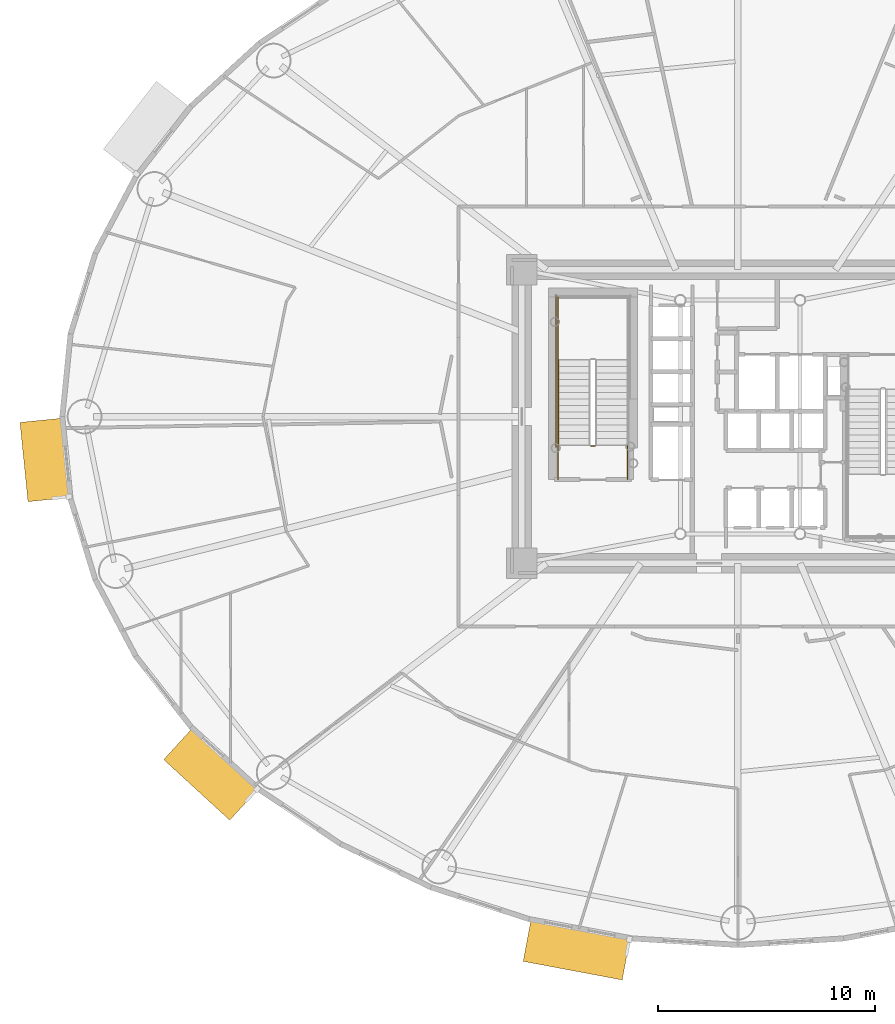
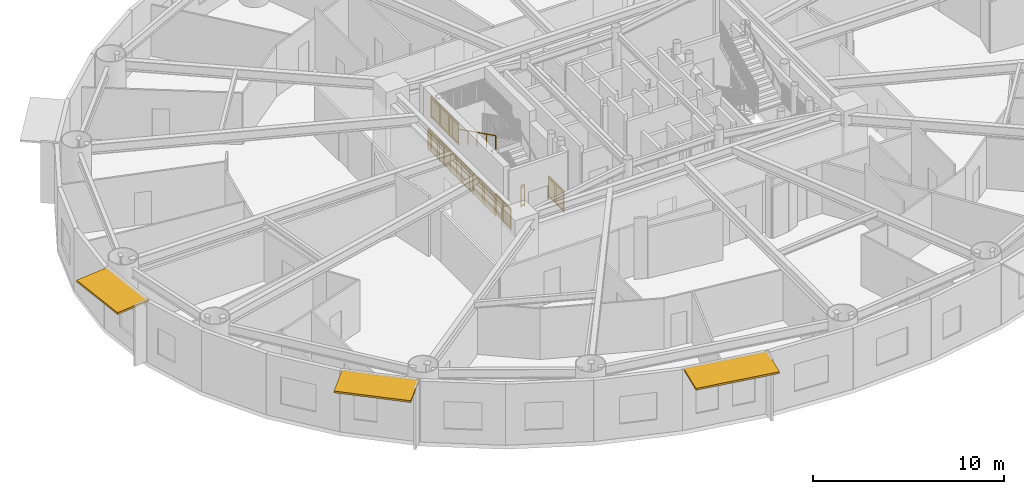
# One storey, part 15 of 21: 6 railings, 3 shading devices.
"""IFC4 building model written with IfcOpenShell, lengths in metres."""

from ifc_helpers import new_model, si_unit, direction, frame, origin, origin_2d, place, context, subcontext, project, spatial, rectangle, extrude, source, transform, mapped, material, layer, layer_set, type_object, element, save


model = new_model("IFC4")

# Units and contexts
model_context = context("Model", 3, precision=1e-05, world=origin(), true_north=direction((0.0, 1.0)))
body_context = subcontext(model_context, "Body", "Model", "MODEL_VIEW")
ifc_project = project(units=[si_unit("LENGTHUNIT", "METRE"), si_unit("AREAUNIT", "SQUARE_METRE"), si_unit("VOLUMEUNIT", "CUBIC_METRE"), si_unit("PLANEANGLEUNIT", "RADIAN"), si_unit("MASSUNIT", "GRAM", prefix="KILO")], contexts=[model_context])

# Site, building, storey
site_placement = place(None, origin())
site = spatial("IfcSite", under=ifc_project, at=site_placement, CompositionType="ELEMENT")
building_placement = place(site_placement, origin())
building = spatial("IfcBuilding", under=site, at=building_placement, Name="Linh Dai School and Residence Tower", CompositionType="ELEMENT")
storey_placement = place(building_placement, frame((0.0, 0.0, 82.800048828125)))
storey = spatial("IfcBuildingStorey", under=building, at=storey_placement, Name="L19", CompositionType="ELEMENT", Elevation=82.800048828125)

# Shading devices
ifc_material_1 = material(Name="Terracotta Ceramic Sunshade", Category="masonry")
ifc_layer = layer(ifc_material_1, 0.1201171875)
ifc_layer_set = layer_set([ifc_layer], Name="Terracotta Ceramic Sunshade")
shading_device_type = type_object("IfcShadingDeviceType", Name="SHD-TC-2000", PredefinedType="USERDEFINED", material=ifc_layer_set)
shared_shape_1 = source(origin(), body_context, "Body", "SweptSolid", [
    extrude(rectangle(XDim=3.663330078125, YDim=2.0, at=origin_2d()), origin(), (0.0, 0.0, 1.0), 0.1201171875),
])
shading_device_1_placement = place(storey_placement, frame((4.16064453125, 25.005615234375, 3.760009765625), z_axis=(0.0, 0.0, 1.0), x_axis=(-0.100009387998, 0.994986493533, 0.0)))
element("IfcShadingDevice", 1, at=shading_device_1_placement, inside=storey, type_object=shading_device_type, Name="L19 Terracotta Horizontal Sunshade Band 21", ObjectType="SUNSHADE", PredefinedType="USERDEFINED", context=body_context, shape_type="MappedRepresentation", body=[
    mapped(shared_shape_1, transform((0.0, 0.0, 0.0), x_axis=(1.0, 0.0, 0.0), y_axis=(0.0, 1.0, 0.0), z_axis=(0.0, 0.0, 1.0), scale=1.0)),
])
shared_shape_2 = source(origin(), body_context, "Body", "SweptSolid", [
    extrude(rectangle(XDim=4.1220703125, YDim=2.0, at=origin_2d()), origin(), (0.0, 0.0, 1.0), 0.1201171875),
])
shading_device_2_placement = place(storey_placement, frame((11.7841796875, 10.56689453125, 3.760009765625), z_axis=(0.0, 0.0, 1.0), x_axis=(-0.737113246362, 0.675769237268, 0.0)))
element("IfcShadingDevice", 2, at=shading_device_2_placement, inside=storey, type_object=shading_device_type, Name="L19 Terracotta Horizontal Sunshade Band 25", ObjectType="SUNSHADE", PredefinedType="USERDEFINED", context=body_context, shape_type="MappedRepresentation", body=[
    mapped(shared_shape_2, transform((0.0, 0.0, 0.0), x_axis=(1.0, 0.0, 0.0), y_axis=(0.0, 1.0, 0.0), z_axis=(0.0, 0.0, 1.0), scale=1.0)),
])
shared_shape_3 = source(origin(), body_context, "Body", "SweptSolid", [
    extrude(rectangle(XDim=4.635009765625, YDim=2.0, at=origin_2d()), origin(), (0.0, 0.0, 1.0), 0.1201171875),
])
shading_device_3_placement = place(storey_placement, frame((28.584716796875, 2.497314453125, 3.760009765625), z_axis=(0.0, 0.0, 1.0), x_axis=(-0.982785935675, 0.184747948944, 0.0)))
element("IfcShadingDevice", 3, at=shading_device_3_placement, inside=storey, type_object=shading_device_type, Name="L19 Terracotta Horizontal Sunshade Band 29", ObjectType="SUNSHADE", PredefinedType="USERDEFINED", context=body_context, shape_type="MappedRepresentation", body=[
    mapped(shared_shape_3, transform((0.0, 0.0, 0.0), x_axis=(1.0, 0.0, 0.0), y_axis=(0.0, 1.0, 0.0), z_axis=(0.0, 0.0, 1.0), scale=1.0)),
])

# Railings
ifc_material_2 = material(Name="Structural Steel S355JR", Category="steel")
railing_type_1 = type_object("IfcRailingType", Name="RL-ST-GUARD-1400", PredefinedType="GUARDRAIL", material=ifc_material_2)
shared_shape_4 = source(origin(), body_context, "Body", "SweptSolid", [
    extrude(rectangle(XDim=0.048095703125, YDim=0.048095703125, at=origin_2d()), frame((0.0, 0.0, 1.3759765625), z_axis=(-1.0, 0.0, 0.0), x_axis=(0.0, -1.0, 0.0)), (0.0, 0.0, 1.0), 0.199951171875),
    extrude(rectangle(XDim=0.048095703125, YDim=0.048095703125, at=origin_2d()), frame((0.0, 0.0, 0.10009765625), z_axis=(-1.0, 0.0, 0.0), x_axis=(0.0, -1.0, 0.0)), (0.0, 0.0, 1.0), 0.199951171875),
    extrude(rectangle(XDim=0.030029296875, YDim=0.030029296875, at=origin_2d()), frame((0.0, 0.0, 1.239990234375), z_axis=(-1.0, 0.0, 0.0), x_axis=(0.0, -1.0, 0.0)), (0.0, 0.0, 1.0), 0.199951171875),
    extrude(rectangle(XDim=0.0419921875, YDim=0.0419921875, at=origin_2d()), origin(), (0.0, 0.0, 1.0), 1.3759765625),
    extrude(rectangle(XDim=0.0419921875, YDim=0.0419921875, at=origin_2d()), frame((-0.199951171875, 0.0, 0.0)), (0.0, 0.0, 1.0), 1.3759765625),
])
railing_1_placement = place(storey_placement, frame((29.429931640625, 25.64990234375, 0.0)))
element("IfcRailing", 4, at=railing_1_placement, inside=storey, type_object=railing_type_1, Name="L19 ST1 stair guard 7", PredefinedType="GUARDRAIL", context=body_context, shape_type="MappedRepresentation", body=[
    mapped(shared_shape_4, transform((0.0, 0.0, 0.0), x_axis=(1.0, 0.0, 0.0), y_axis=(0.0, 1.0, 0.0), z_axis=(0.0, 0.0, 1.0), scale=1.0)),
])
shared_shape_5 = source(origin(), body_context, "Body", "SweptSolid", [
    extrude(rectangle(XDim=0.048095703125, YDim=0.048095703125, at=origin_2d()), frame((0.0, 0.0, 1.3759765625), z_axis=(0.0, 1.0, 0.0), x_axis=(-1.0, 0.0, 0.0)), (0.0, 0.0, 1.0), 1.599853515625),
    extrude(rectangle(XDim=0.048095703125, YDim=0.048095703125, at=origin_2d()), frame((0.0, 0.0, 0.10009765625), z_axis=(0.0, 1.0, 0.0), x_axis=(-1.0, 0.0, 0.0)), (0.0, 0.0, 1.0), 1.599853515625),
    extrude(rectangle(XDim=0.030029296875, YDim=0.030029296875, at=origin_2d()), frame((0.0, 0.0, 1.239990234375), z_axis=(0.0, 1.0, 0.0), x_axis=(-1.0, 0.0, 0.0)), (0.0, 0.0, 1.0), 1.599853515625),
    extrude(rectangle(XDim=0.02001953125, YDim=0.02001953125, at=origin_2d()), frame((0.0, 0.093994140625, 0.10009765625)), (0.0, 0.0, 1.0), 1.251708984375),
    extrude(rectangle(XDim=0.02001953125, YDim=0.02001953125, at=origin_2d()), frame((0.0, 0.188232421875, 0.10009765625)), (0.0, 0.0, 1.0), 1.251708984375),
    extrude(rectangle(XDim=0.02001953125, YDim=0.02001953125, at=origin_2d()), frame((0.0, 0.2822265625, 0.10009765625)), (0.0, 0.0, 1.0), 1.251708984375),
    extrude(rectangle(XDim=0.02001953125, YDim=0.02001953125, at=origin_2d()), frame((0.0, 0.37646484375, 0.10009765625)), (0.0, 0.0, 1.0), 1.251708984375),
    extrude(rectangle(XDim=0.02001953125, YDim=0.02001953125, at=origin_2d()), frame((0.0, 0.470458984375, 0.10009765625)), (0.0, 0.0, 1.0), 1.251708984375),
    extrude(rectangle(XDim=0.02001953125, YDim=0.02001953125, at=origin_2d()), frame((0.0, 0.564697265625, 0.10009765625)), (0.0, 0.0, 1.0), 1.251708984375),
    extrude(rectangle(XDim=0.02001953125, YDim=0.02001953125, at=origin_2d()), frame((0.0, 0.65869140625, 0.10009765625)), (0.0, 0.0, 1.0), 1.251708984375),
    extrude(rectangle(XDim=0.02001953125, YDim=0.02001953125, at=origin_2d()), frame((0.0, 0.7529296875, 0.10009765625)), (0.0, 0.0, 1.0), 1.251708984375),
    extrude(rectangle(XDim=0.02001953125, YDim=0.02001953125, at=origin_2d()), frame((0.0, 0.846923828125, 0.10009765625)), (0.0, 0.0, 1.0), 1.251708984375),
    extrude(rectangle(XDim=0.02001953125, YDim=0.02001953125, at=origin_2d()), frame((0.0, 0.941162109375, 0.10009765625)), (0.0, 0.0, 1.0), 1.251708984375),
    extrude(rectangle(XDim=0.02001953125, YDim=0.02001953125, at=origin_2d()), frame((0.0, 1.03515625, 0.10009765625)), (0.0, 0.0, 1.0), 1.251708984375),
    extrude(rectangle(XDim=0.02001953125, YDim=0.02001953125, at=origin_2d()), frame((0.0, 1.12939453125, 0.10009765625)), (0.0, 0.0, 1.0), 1.251708984375),
    extrude(rectangle(XDim=0.02001953125, YDim=0.02001953125, at=origin_2d()), frame((0.0, 1.223388671875, 0.10009765625)), (0.0, 0.0, 1.0), 1.251708984375),
    extrude(rectangle(XDim=0.02001953125, YDim=0.02001953125, at=origin_2d()), frame((0.0, 1.317626953125, 0.10009765625)), (0.0, 0.0, 1.0), 1.251708984375),
    extrude(rectangle(XDim=0.02001953125, YDim=0.02001953125, at=origin_2d()), frame((0.0, 1.41162109375, 0.10009765625)), (0.0, 0.0, 1.0), 1.251708984375),
    extrude(rectangle(XDim=0.02001953125, YDim=0.02001953125, at=origin_2d()), frame((0.0, 1.505859375, 0.10009765625)), (0.0, 0.0, 1.0), 1.251708984375),
    extrude(rectangle(XDim=0.0419921875, YDim=0.0419921875, at=origin_2d()), origin(), (0.0, 0.0, 1.0), 1.3759765625),
    extrude(rectangle(XDim=0.0419921875, YDim=0.0419921875, at=origin_2d()), frame((0.0, 0.7998046875, 0.0)), (0.0, 0.0, 1.0), 1.3759765625),
    extrude(rectangle(XDim=0.0419921875, YDim=0.0419921875, at=origin_2d()), frame((0.0, 1.599853515625, 0.0)), (0.0, 0.0, 1.0), 1.3759765625),
])
for number, where, name in (
    (5, (30.929931640625, 24.10009765625, 0.0), "L19 ST1 stair guard 8"),
    (6, (27.72998046875, 24.10009765625, 0.0), "L19 ST1 stair guard 9"),
):
    element("IfcRailing", number, at=place(storey_placement, frame(where)), inside=storey, type_object=railing_type_1, Name=name, PredefinedType="GUARDRAIL", context=body_context, shape_type="MappedRepresentation", body=[
        mapped(shared_shape_5, transform((0.0, 0.0, 0.0), x_axis=(1.0, 0.0, 0.0), y_axis=(0.0, 1.0, 0.0), z_axis=(0.0, 0.0, 1.0), scale=1.0)),
    ])
shared_shape_6 = source(origin(), body_context, "Body", "SweptSolid", [
    extrude(rectangle(XDim=0.048095703125, YDim=0.048095703125, at=origin_2d()), frame((0.0, 0.0, 1.3759765625), z_axis=(0.0, 1.0, 0.0), x_axis=(-1.0, 0.0, 0.0)), (0.0, 0.0, 1.0), 7.0),
    extrude(rectangle(XDim=0.048095703125, YDim=0.048095703125, at=origin_2d()), frame((0.0, 0.0, 0.10009765625), z_axis=(0.0, 1.0, 0.0), x_axis=(-1.0, 0.0, 0.0)), (0.0, 0.0, 1.0), 7.0),
    extrude(rectangle(XDim=0.030029296875, YDim=0.030029296875, at=origin_2d()), frame((0.0, 0.0, 1.239990234375), z_axis=(0.0, 1.0, 0.0), x_axis=(-1.0, 0.0, 0.0)), (0.0, 0.0, 1.0), 7.0),
    extrude(rectangle(XDim=0.02001953125, YDim=0.02001953125, at=origin_2d()), frame((0.0, 0.09716796875, 0.10009765625)), (0.0, 0.0, 1.0), 1.251708984375),
    extrude(rectangle(XDim=0.02001953125, YDim=0.02001953125, at=origin_2d()), frame((0.0, 0.1943359375, 0.10009765625)), (0.0, 0.0, 1.0), 1.251708984375),
    extrude(rectangle(XDim=0.02001953125, YDim=0.02001953125, at=origin_2d()), frame((0.0, 0.291748046875, 0.10009765625)), (0.0, 0.0, 1.0), 1.251708984375),
    extrude(rectangle(XDim=0.02001953125, YDim=0.02001953125, at=origin_2d()), frame((0.0, 0.388916015625, 0.10009765625)), (0.0, 0.0, 1.0), 1.251708984375),
    extrude(rectangle(XDim=0.02001953125, YDim=0.02001953125, at=origin_2d()), frame((0.0, 0.486083984375, 0.10009765625)), (0.0, 0.0, 1.0), 1.251708984375),
    extrude(rectangle(XDim=0.02001953125, YDim=0.02001953125, at=origin_2d()), frame((0.0, 0.583251953125, 0.10009765625)), (0.0, 0.0, 1.0), 1.251708984375),
    extrude(rectangle(XDim=0.02001953125, YDim=0.02001953125, at=origin_2d()), frame((0.0, 0.6806640625, 0.10009765625)), (0.0, 0.0, 1.0), 1.251708984375),
    extrude(rectangle(XDim=0.02001953125, YDim=0.02001953125, at=origin_2d()), frame((0.0, 0.77783203125, 0.10009765625)), (0.0, 0.0, 1.0), 1.251708984375),
    extrude(rectangle(XDim=0.02001953125, YDim=0.02001953125, at=origin_2d()), frame((0.0, 0.875, 0.10009765625)), (0.0, 0.0, 1.0), 1.251708984375),
    extrude(rectangle(XDim=0.02001953125, YDim=0.02001953125, at=origin_2d()), frame((0.0, 0.97216796875, 0.10009765625)), (0.0, 0.0, 1.0), 1.251708984375),
    extrude(rectangle(XDim=0.02001953125, YDim=0.02001953125, at=origin_2d()), frame((0.0, 1.0693359375, 0.10009765625)), (0.0, 0.0, 1.0), 1.251708984375),
    extrude(rectangle(XDim=0.02001953125, YDim=0.02001953125, at=origin_2d()), frame((0.0, 1.263916015625, 0.10009765625)), (0.0, 0.0, 1.0), 1.251708984375),
    extrude(rectangle(XDim=0.02001953125, YDim=0.02001953125, at=origin_2d()), frame((0.0, 1.361083984375, 0.10009765625)), (0.0, 0.0, 1.0), 1.251708984375),
    extrude(rectangle(XDim=0.02001953125, YDim=0.02001953125, at=origin_2d()), frame((0.0, 1.458251953125, 0.10009765625)), (0.0, 0.0, 1.0), 1.251708984375),
    extrude(rectangle(XDim=0.02001953125, YDim=0.02001953125, at=origin_2d()), frame((0.0, 1.5556640625, 0.10009765625)), (0.0, 0.0, 1.0), 1.251708984375),
    extrude(rectangle(XDim=0.02001953125, YDim=0.02001953125, at=origin_2d()), frame((0.0, 1.65283203125, 0.10009765625)), (0.0, 0.0, 1.0), 1.251708984375),
    extrude(rectangle(XDim=0.02001953125, YDim=0.02001953125, at=origin_2d()), frame((0.0, 1.75, 0.10009765625)), (0.0, 0.0, 1.0), 1.251708984375),
    extrude(rectangle(XDim=0.02001953125, YDim=0.02001953125, at=origin_2d()), frame((0.0, 1.84716796875, 0.10009765625)), (0.0, 0.0, 1.0), 1.251708984375),
    extrude(rectangle(XDim=0.02001953125, YDim=0.02001953125, at=origin_2d()), frame((0.0, 1.9443359375, 0.10009765625)), (0.0, 0.0, 1.0), 1.251708984375),
    extrude(rectangle(XDim=0.02001953125, YDim=0.02001953125, at=origin_2d()), frame((0.0, 2.041748046875, 0.10009765625)), (0.0, 0.0, 1.0), 1.251708984375),
    extrude(rectangle(XDim=0.02001953125, YDim=0.02001953125, at=origin_2d()), frame((0.0, 2.138916015625, 0.10009765625)), (0.0, 0.0, 1.0), 1.251708984375),
    extrude(rectangle(XDim=0.02001953125, YDim=0.02001953125, at=origin_2d()), frame((0.0, 2.236083984375, 0.10009765625)), (0.0, 0.0, 1.0), 1.251708984375),
    extrude(rectangle(XDim=0.02001953125, YDim=0.02001953125, at=origin_2d()), frame((0.0, 2.4306640625, 0.10009765625)), (0.0, 0.0, 1.0), 1.251708984375),
    extrude(rectangle(XDim=0.02001953125, YDim=0.02001953125, at=origin_2d()), frame((0.0, 2.52783203125, 0.10009765625)), (0.0, 0.0, 1.0), 1.251708984375),
    extrude(rectangle(XDim=0.02001953125, YDim=0.02001953125, at=origin_2d()), frame((0.0, 2.625, 0.10009765625)), (0.0, 0.0, 1.0), 1.251708984375),
    extrude(rectangle(XDim=0.02001953125, YDim=0.02001953125, at=origin_2d()), frame((0.0, 2.72216796875, 0.10009765625)), (0.0, 0.0, 1.0), 1.251708984375),
    extrude(rectangle(XDim=0.02001953125, YDim=0.02001953125, at=origin_2d()), frame((0.0, 2.8193359375, 0.10009765625)), (0.0, 0.0, 1.0), 1.251708984375),
    extrude(rectangle(XDim=0.02001953125, YDim=0.02001953125, at=origin_2d()), frame((0.0, 2.916748046875, 0.10009765625)), (0.0, 0.0, 1.0), 1.251708984375),
    extrude(rectangle(XDim=0.02001953125, YDim=0.02001953125, at=origin_2d()), frame((0.0, 3.013916015625, 0.10009765625)), (0.0, 0.0, 1.0), 1.251708984375),
    extrude(rectangle(XDim=0.02001953125, YDim=0.02001953125, at=origin_2d()), frame((0.0, 3.111083984375, 0.10009765625)), (0.0, 0.0, 1.0), 1.251708984375),
    extrude(rectangle(XDim=0.02001953125, YDim=0.02001953125, at=origin_2d()), frame((0.0, 3.208251953125, 0.10009765625)), (0.0, 0.0, 1.0), 1.251708984375),
    extrude(rectangle(XDim=0.02001953125, YDim=0.02001953125, at=origin_2d()), frame((0.0, 3.3056640625, 0.10009765625)), (0.0, 0.0, 1.0), 1.251708984375),
    extrude(rectangle(XDim=0.02001953125, YDim=0.02001953125, at=origin_2d()), frame((0.0, 3.40283203125, 0.10009765625)), (0.0, 0.0, 1.0), 1.251708984375),
    extrude(rectangle(XDim=0.02001953125, YDim=0.02001953125, at=origin_2d()), frame((0.0, 3.59716796875, 0.10009765625)), (0.0, 0.0, 1.0), 1.251708984375),
    extrude(rectangle(XDim=0.02001953125, YDim=0.02001953125, at=origin_2d()), frame((0.0, 3.6943359375, 0.10009765625)), (0.0, 0.0, 1.0), 1.251708984375),
    extrude(rectangle(XDim=0.02001953125, YDim=0.02001953125, at=origin_2d()), frame((0.0, 3.791748046875, 0.10009765625)), (0.0, 0.0, 1.0), 1.251708984375),
    extrude(rectangle(XDim=0.02001953125, YDim=0.02001953125, at=origin_2d()), frame((0.0, 3.888916015625, 0.10009765625)), (0.0, 0.0, 1.0), 1.251708984375),
    extrude(rectangle(XDim=0.02001953125, YDim=0.02001953125, at=origin_2d()), frame((0.0, 3.986083984375, 0.10009765625)), (0.0, 0.0, 1.0), 1.251708984375),
    extrude(rectangle(XDim=0.02001953125, YDim=0.02001953125, at=origin_2d()), frame((0.0, 4.083251953125, 0.10009765625)), (0.0, 0.0, 1.0), 1.251708984375),
    extrude(rectangle(XDim=0.02001953125, YDim=0.02001953125, at=origin_2d()), frame((0.0, 4.1806640625, 0.10009765625)), (0.0, 0.0, 1.0), 1.251708984375),
    extrude(rectangle(XDim=0.02001953125, YDim=0.02001953125, at=origin_2d()), frame((0.0, 4.27783203125, 0.10009765625)), (0.0, 0.0, 1.0), 1.251708984375),
    extrude(rectangle(XDim=0.02001953125, YDim=0.02001953125, at=origin_2d()), frame((0.0, 4.375, 0.10009765625)), (0.0, 0.0, 1.0), 1.251708984375),
    extrude(rectangle(XDim=0.02001953125, YDim=0.02001953125, at=origin_2d()), frame((0.0, 4.47216796875, 0.10009765625)), (0.0, 0.0, 1.0), 1.251708984375),
    extrude(rectangle(XDim=0.02001953125, YDim=0.02001953125, at=origin_2d()), frame((0.0, 4.5693359375, 0.10009765625)), (0.0, 0.0, 1.0), 1.251708984375),
    extrude(rectangle(XDim=0.02001953125, YDim=0.02001953125, at=origin_2d()), frame((0.0, 4.763916015625, 0.10009765625)), (0.0, 0.0, 1.0), 1.251708984375),
    extrude(rectangle(XDim=0.02001953125, YDim=0.02001953125, at=origin_2d()), frame((0.0, 4.861083984375, 0.10009765625)), (0.0, 0.0, 1.0), 1.251708984375),
    extrude(rectangle(XDim=0.02001953125, YDim=0.02001953125, at=origin_2d()), frame((0.0, 4.958251953125, 0.10009765625)), (0.0, 0.0, 1.0), 1.251708984375),
    extrude(rectangle(XDim=0.02001953125, YDim=0.02001953125, at=origin_2d()), frame((0.0, 5.0556640625, 0.10009765625)), (0.0, 0.0, 1.0), 1.251708984375),
    extrude(rectangle(XDim=0.02001953125, YDim=0.02001953125, at=origin_2d()), frame((0.0, 5.15283203125, 0.10009765625)), (0.0, 0.0, 1.0), 1.251708984375),
    extrude(rectangle(XDim=0.02001953125, YDim=0.02001953125, at=origin_2d()), frame((0.0, 5.25, 0.10009765625)), (0.0, 0.0, 1.0), 1.251708984375),
    extrude(rectangle(XDim=0.02001953125, YDim=0.02001953125, at=origin_2d()), frame((0.0, 5.34716796875, 0.10009765625)), (0.0, 0.0, 1.0), 1.251708984375),
    extrude(rectangle(XDim=0.02001953125, YDim=0.02001953125, at=origin_2d()), frame((0.0, 5.4443359375, 0.10009765625)), (0.0, 0.0, 1.0), 1.251708984375),
    extrude(rectangle(XDim=0.02001953125, YDim=0.02001953125, at=origin_2d()), frame((0.0, 5.541748046875, 0.10009765625)), (0.0, 0.0, 1.0), 1.251708984375),
    extrude(rectangle(XDim=0.02001953125, YDim=0.02001953125, at=origin_2d()), frame((0.0, 5.638916015625, 0.10009765625)), (0.0, 0.0, 1.0), 1.251708984375),
    extrude(rectangle(XDim=0.02001953125, YDim=0.02001953125, at=origin_2d()), frame((0.0, 5.736083984375, 0.10009765625)), (0.0, 0.0, 1.0), 1.251708984375),
    extrude(rectangle(XDim=0.02001953125, YDim=0.02001953125, at=origin_2d()), frame((0.0, 5.9306640625, 0.10009765625)), (0.0, 0.0, 1.0), 1.251708984375),
    extrude(rectangle(XDim=0.02001953125, YDim=0.02001953125, at=origin_2d()), frame((0.0, 6.02783203125, 0.10009765625)), (0.0, 0.0, 1.0), 1.251708984375),
    extrude(rectangle(XDim=0.02001953125, YDim=0.02001953125, at=origin_2d()), frame((0.0, 6.125, 0.10009765625)), (0.0, 0.0, 1.0), 1.251708984375),
    extrude(rectangle(XDim=0.02001953125, YDim=0.02001953125, at=origin_2d()), frame((0.0, 6.22216796875, 0.10009765625)), (0.0, 0.0, 1.0), 1.251708984375),
    extrude(rectangle(XDim=0.02001953125, YDim=0.02001953125, at=origin_2d()), frame((0.0, 6.3193359375, 0.10009765625)), (0.0, 0.0, 1.0), 1.251708984375),
    extrude(rectangle(XDim=0.02001953125, YDim=0.02001953125, at=origin_2d()), frame((0.0, 6.416748046875, 0.10009765625)), (0.0, 0.0, 1.0), 1.251708984375),
    extrude(rectangle(XDim=0.02001953125, YDim=0.02001953125, at=origin_2d()), frame((0.0, 6.513916015625, 0.10009765625)), (0.0, 0.0, 1.0), 1.251708984375),
    extrude(rectangle(XDim=0.02001953125, YDim=0.02001953125, at=origin_2d()), frame((0.0, 6.611083984375, 0.10009765625)), (0.0, 0.0, 1.0), 1.251708984375),
    extrude(rectangle(XDim=0.02001953125, YDim=0.02001953125, at=origin_2d()), frame((0.0, 6.708251953125, 0.10009765625)), (0.0, 0.0, 1.0), 1.251708984375),
    extrude(rectangle(XDim=0.02001953125, YDim=0.02001953125, at=origin_2d()), frame((0.0, 6.8056640625, 0.10009765625)), (0.0, 0.0, 1.0), 1.251708984375),
    extrude(rectangle(XDim=0.02001953125, YDim=0.02001953125, at=origin_2d()), frame((0.0, 6.90283203125, 0.10009765625)), (0.0, 0.0, 1.0), 1.251708984375),
    extrude(rectangle(XDim=0.0419921875, YDim=0.0419921875, at=origin_2d()), origin(), (0.0, 0.0, 1.0), 1.3759765625),
    extrude(rectangle(XDim=0.0419921875, YDim=0.0419921875, at=origin_2d()), frame((0.0, 1.166748046875, 0.0)), (0.0, 0.0, 1.0), 1.3759765625),
    extrude(rectangle(XDim=0.0419921875, YDim=0.0419921875, at=origin_2d()), frame((0.0, 2.333251953125, 0.0)), (0.0, 0.0, 1.0), 1.3759765625),
    extrude(rectangle(XDim=0.0419921875, YDim=0.0419921875, at=origin_2d()), frame((0.0, 3.5, 0.0)), (0.0, 0.0, 1.0), 1.3759765625),
    extrude(rectangle(XDim=0.0419921875, YDim=0.0419921875, at=origin_2d()), frame((0.0, 4.666748046875, 0.0)), (0.0, 0.0, 1.0), 1.3759765625),
    extrude(rectangle(XDim=0.0419921875, YDim=0.0419921875, at=origin_2d()), frame((0.0, 5.833251953125, 0.0)), (0.0, 0.0, 1.0), 1.3759765625),
    extrude(rectangle(XDim=0.0419921875, YDim=0.0419921875, at=origin_2d()), frame((0.0, 7.0, 0.0)), (0.0, 0.0, 1.0), 1.3759765625),
])
railing_2_placement = place(storey_placement, frame((27.6298828125, 25.60009765625, 0.0)))
element("IfcRailing", 7, at=railing_2_placement, inside=storey, type_object=railing_type_1, Name="L19 ST1 stair guard 11", PredefinedType="GUARDRAIL", context=body_context, shape_type="MappedRepresentation", body=[
    mapped(shared_shape_6, transform((0.0, 0.0, 0.0), x_axis=(1.0, 0.0, 0.0), y_axis=(0.0, 1.0, 0.0), z_axis=(0.0, 0.0, 1.0), scale=1.0)),
])
shared_shape_7 = source(origin(), body_context, "Body", "SweptSolid", [
    extrude(rectangle(XDim=0.048095703125, YDim=0.048095703125, at=origin_2d()), frame((0.0, 0.0, 1.3759765625), z_axis=(0.0, 1.0, 0.0), x_axis=(-1.0, 0.0, 0.0)), (0.0, 0.0, 1.0), 2.89990234375),
    extrude(rectangle(XDim=0.048095703125, YDim=0.048095703125, at=origin_2d()), frame((0.0, 0.0, 0.10009765625), z_axis=(0.0, 1.0, 0.0), x_axis=(-1.0, 0.0, 0.0)), (0.0, 0.0, 1.0), 2.89990234375),
    extrude(rectangle(XDim=0.030029296875, YDim=0.030029296875, at=origin_2d()), frame((0.0, 0.0, 1.239990234375), z_axis=(0.0, 1.0, 0.0), x_axis=(-1.0, 0.0, 0.0)), (0.0, 0.0, 1.0), 2.89990234375),
    extrude(rectangle(XDim=0.02001953125, YDim=0.02001953125, at=origin_2d()), frame((0.0, 0.0966796875, 0.10009765625)), (0.0, 0.0, 1.0), 1.251708984375),
    extrude(rectangle(XDim=0.02001953125, YDim=0.02001953125, at=origin_2d()), frame((0.0, 0.193359375, 0.10009765625)), (0.0, 0.0, 1.0), 1.251708984375),
    extrude(rectangle(XDim=0.02001953125, YDim=0.02001953125, at=origin_2d()), frame((0.0, 0.2900390625, 0.10009765625)), (0.0, 0.0, 1.0), 1.251708984375),
    extrude(rectangle(XDim=0.02001953125, YDim=0.02001953125, at=origin_2d()), frame((0.0, 0.38671875, 0.10009765625)), (0.0, 0.0, 1.0), 1.251708984375),
    extrude(rectangle(XDim=0.02001953125, YDim=0.02001953125, at=origin_2d()), frame((0.0, 0.4833984375, 0.10009765625)), (0.0, 0.0, 1.0), 1.251708984375),
    extrude(rectangle(XDim=0.02001953125, YDim=0.02001953125, at=origin_2d()), frame((0.0, 0.580078125, 0.10009765625)), (0.0, 0.0, 1.0), 1.251708984375),
    extrude(rectangle(XDim=0.02001953125, YDim=0.02001953125, at=origin_2d()), frame((0.0, 0.6767578125, 0.10009765625)), (0.0, 0.0, 1.0), 1.251708984375),
    extrude(rectangle(XDim=0.02001953125, YDim=0.02001953125, at=origin_2d()), frame((0.0, 0.773193359375, 0.10009765625)), (0.0, 0.0, 1.0), 1.251708984375),
    extrude(rectangle(XDim=0.02001953125, YDim=0.02001953125, at=origin_2d()), frame((0.0, 0.869873046875, 0.10009765625)), (0.0, 0.0, 1.0), 1.251708984375),
    extrude(rectangle(XDim=0.02001953125, YDim=0.02001953125, at=origin_2d()), frame((0.0, 1.063232421875, 0.10009765625)), (0.0, 0.0, 1.0), 1.251708984375),
    extrude(rectangle(XDim=0.02001953125, YDim=0.02001953125, at=origin_2d()), frame((0.0, 1.159912109375, 0.10009765625)), (0.0, 0.0, 1.0), 1.251708984375),
    extrude(rectangle(XDim=0.02001953125, YDim=0.02001953125, at=origin_2d()), frame((0.0, 1.256591796875, 0.10009765625)), (0.0, 0.0, 1.0), 1.251708984375),
    extrude(rectangle(XDim=0.02001953125, YDim=0.02001953125, at=origin_2d()), frame((0.0, 1.353271484375, 0.10009765625)), (0.0, 0.0, 1.0), 1.251708984375),
    extrude(rectangle(XDim=0.02001953125, YDim=0.02001953125, at=origin_2d()), frame((0.0, 1.449951171875, 0.10009765625)), (0.0, 0.0, 1.0), 1.251708984375),
    extrude(rectangle(XDim=0.02001953125, YDim=0.02001953125, at=origin_2d()), frame((0.0, 1.546630859375, 0.10009765625)), (0.0, 0.0, 1.0), 1.251708984375),
    extrude(rectangle(XDim=0.02001953125, YDim=0.02001953125, at=origin_2d()), frame((0.0, 1.643310546875, 0.10009765625)), (0.0, 0.0, 1.0), 1.251708984375),
    extrude(rectangle(XDim=0.02001953125, YDim=0.02001953125, at=origin_2d()), frame((0.0, 1.739990234375, 0.10009765625)), (0.0, 0.0, 1.0), 1.251708984375),
    extrude(rectangle(XDim=0.02001953125, YDim=0.02001953125, at=origin_2d()), frame((0.0, 1.836669921875, 0.10009765625)), (0.0, 0.0, 1.0), 1.251708984375),
    extrude(rectangle(XDim=0.02001953125, YDim=0.02001953125, at=origin_2d()), frame((0.0, 2.030029296875, 0.10009765625)), (0.0, 0.0, 1.0), 1.251708984375),
    extrude(rectangle(XDim=0.02001953125, YDim=0.02001953125, at=origin_2d()), frame((0.0, 2.126708984375, 0.10009765625)), (0.0, 0.0, 1.0), 1.251708984375),
    extrude(rectangle(XDim=0.02001953125, YDim=0.02001953125, at=origin_2d()), frame((0.0, 2.22314453125, 0.10009765625)), (0.0, 0.0, 1.0), 1.251708984375),
    extrude(rectangle(XDim=0.02001953125, YDim=0.02001953125, at=origin_2d()), frame((0.0, 2.31982421875, 0.10009765625)), (0.0, 0.0, 1.0), 1.251708984375),
    extrude(rectangle(XDim=0.02001953125, YDim=0.02001953125, at=origin_2d()), frame((0.0, 2.41650390625, 0.10009765625)), (0.0, 0.0, 1.0), 1.251708984375),
    extrude(rectangle(XDim=0.02001953125, YDim=0.02001953125, at=origin_2d()), frame((0.0, 2.51318359375, 0.10009765625)), (0.0, 0.0, 1.0), 1.251708984375),
    extrude(rectangle(XDim=0.02001953125, YDim=0.02001953125, at=origin_2d()), frame((0.0, 2.60986328125, 0.10009765625)), (0.0, 0.0, 1.0), 1.251708984375),
    extrude(rectangle(XDim=0.02001953125, YDim=0.02001953125, at=origin_2d()), frame((0.0, 2.70654296875, 0.10009765625)), (0.0, 0.0, 1.0), 1.251708984375),
    extrude(rectangle(XDim=0.02001953125, YDim=0.02001953125, at=origin_2d()), frame((0.0, 2.80322265625, 0.10009765625)), (0.0, 0.0, 1.0), 1.251708984375),
    extrude(rectangle(XDim=0.0419921875, YDim=0.0419921875, at=origin_2d()), origin(), (0.0, 0.0, 1.0), 1.3759765625),
    extrude(rectangle(XDim=0.0419921875, YDim=0.0419921875, at=origin_2d()), frame((0.0, 0.966552734375, 0.0)), (0.0, 0.0, 1.0), 1.3759765625),
    extrude(rectangle(XDim=0.0419921875, YDim=0.0419921875, at=origin_2d()), frame((0.0, 1.933349609375, 0.0)), (0.0, 0.0, 1.0), 1.3759765625),
    extrude(rectangle(XDim=0.0419921875, YDim=0.0419921875, at=origin_2d()), frame((0.0, 2.89990234375, 0.0)), (0.0, 0.0, 1.0), 1.3759765625),
])
railing_3_placement = place(storey_placement, frame((27.72998046875, 29.60009765625, 2.099853515625)))
element("IfcRailing", 8, at=railing_3_placement, inside=storey, type_object=railing_type_1, Name="L19 ST1 stair guard 4", PredefinedType="GUARDRAIL", context=body_context, shape_type="MappedRepresentation", body=[
    mapped(shared_shape_7, transform((0.0, 0.0, 0.0), x_axis=(1.0, 0.0, 0.0), y_axis=(0.0, 1.0, 0.0), z_axis=(0.0, 0.0, 1.0), scale=1.0)),
])
ifc_material_3 = material(Name="Brushed Stainless Steel Handrail", Category="steel")
railing_type_2 = type_object("IfcRailingType", Name="RL-ST-HANDRAIL-900", PredefinedType="HANDRAIL", material=ifc_material_3)
shared_shape_8 = source(origin(), body_context, "Body", "SweptSolid", [
    extrude(rectangle(XDim=0.048095703125, YDim=0.048095703125, at=origin_2d()), frame((0.0, 0.0, 0.8759765625), z_axis=(0.0, -0.894438388696, 0.447191199406), x_axis=(1.0, 0.0, 0.0)), (0.0, 0.0, 1.0), 4.3603515625),
    extrude(rectangle(XDim=0.0419921875, YDim=0.0419921875, at=origin_2d()), origin(), (0.0, 0.0, 1.0), 0.8759765625),
    extrude(rectangle(XDim=0.0419921875, YDim=0.0419921875, at=origin_2d()), frame((0.0, -0.97509765625, 0.487548828125)), (0.0, 0.0, 1.0), 0.8759765625),
    extrude(rectangle(XDim=0.0419921875, YDim=0.0419921875, at=origin_2d()), frame((0.0, -1.9501953125, 0.97509765625)), (0.0, 0.0, 1.0), 0.8759765625),
    extrude(rectangle(XDim=0.0419921875, YDim=0.0419921875, at=origin_2d()), frame((0.0, -2.925048828125, 1.46240234375)), (0.0, 0.0, 1.0), 0.8759765625),
    extrude(rectangle(XDim=0.0419921875, YDim=0.0419921875, at=origin_2d()), frame((0.0, -3.900146484375, 1.949951171875)), (0.0, 0.0, 1.0), 0.8759765625),
])
railing_4_placement = place(storey_placement, frame((27.72998046875, 29.60009765625, 2.25)))
element("IfcRailing", 9, at=railing_4_placement, inside=storey, type_object=railing_type_2, Name="L19 ST1 stair handrail 2", PredefinedType="HANDRAIL", context=body_context, shape_type="MappedRepresentation", body=[
    mapped(shared_shape_8, transform((0.0, 0.0, 0.0), x_axis=(1.0, 0.0, 0.0), y_axis=(0.0, 1.0, 0.0), z_axis=(0.0, 0.0, 1.0), scale=1.0)),
])

save(model, "model.ifc")
